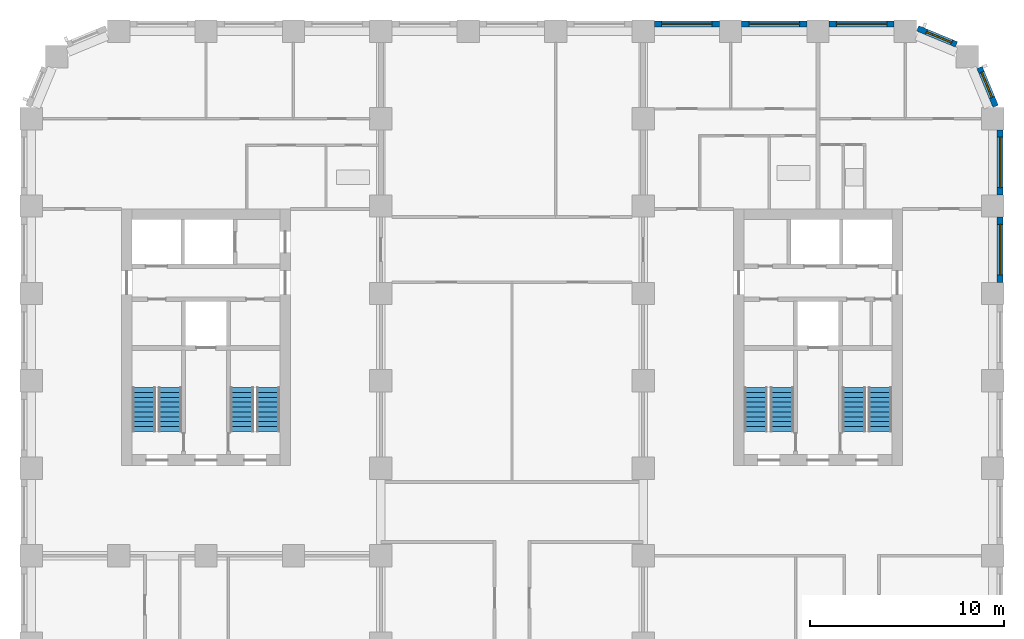
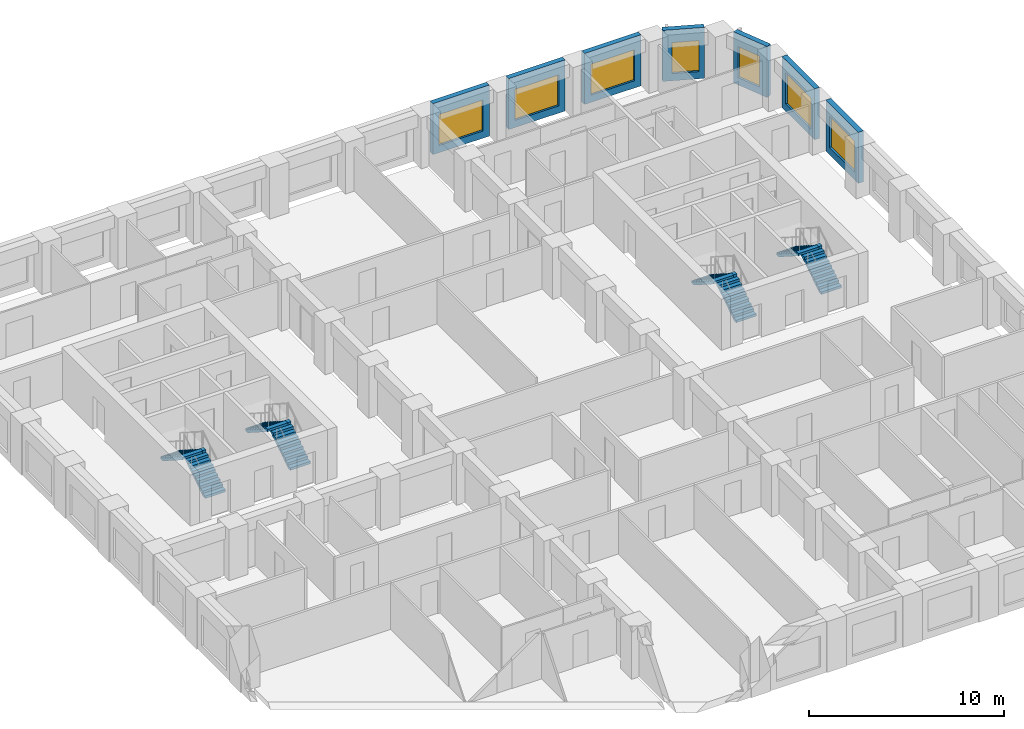
# One storey, part 9 of 12: 8 stair flights, 7 walls, 7 windows, 7 openings, 4 elements without a shape of their own.
"""IFC4 building model written with IfcOpenShell, lengths in metres."""

from ifc_helpers import new_model, si_unit, direction, frame, frame_2d, origin, place, context, subcontext, project, spatial, polyline, rectangle, outline, extrude, material, layer, layer_set, type_object, element, fill, aggregate, save


model = new_model("IFC4")

# Units and contexts
model_context = context("Model", 3, precision=1e-05, world=origin(), true_north=direction((0.0, 1.0)))
body_context = subcontext(model_context, "Body", "Model", "MODEL_VIEW")
ifc_project = project(units=[si_unit("LENGTHUNIT", "METRE"), si_unit("AREAUNIT", "SQUARE_METRE"), si_unit("VOLUMEUNIT", "CUBIC_METRE"), si_unit("PLANEANGLEUNIT", "RADIAN"), si_unit("MASSUNIT", "GRAM", prefix="KILO")], contexts=[model_context])

# Site, building, storey
site_placement = place(None, origin())
site = spatial("IfcSite", under=ifc_project, at=site_placement, CompositionType="ELEMENT")
building_placement = place(site_placement, origin())
building = spatial("IfcBuilding", under=site, at=building_placement, Name="Girih Gate Residences", CompositionType="ELEMENT")
storey_placement = place(building_placement, frame((0.0, 0.0, 118.39990234375)))
storey = spatial("IfcBuildingStorey", under=building, at=storey_placement, Name="L33", CompositionType="ELEMENT", Elevation=118.39990234375)

# Wall, opening, window
ifc_material_1 = material(Name="Precast concrete C50/60", Category="concrete")
ifc_layer_1 = layer(ifc_material_1, 0.080078125, Name="Outer leaf")
ifc_material_2 = material(Name="Rigid PIR insulation")
ifc_layer_2 = layer(ifc_material_2, 0.14990234375, Name="Insulation")
ifc_material_3 = material(Name="Precast concrete C40/50", Category="concrete")
ifc_layer_3 = layer(ifc_material_3, 0.070068359375, Name="Inner leaf")
ifc_layer_set = layer_set([ifc_layer_1, ifc_layer_2, ifc_layer_3], Name="Precast concrete C50/60 external wall 300")
wall_type = type_object("IfcWallType", Name="Precast concrete C50/60 external wall 300", PredefinedType="SOLIDWALL", material=ifc_layer_set)
wall_1_placement = place(storey_placement, frame((49.875, 39.925048828125, 0.0), z_axis=(0.0, 0.0, 1.0), x_axis=(0.0, -1.0, 0.0)))
wall_1 = element("IfcWall", 1, at=wall_1_placement, inside=storey, type_object=wall_type, Name="External wall E0495_0045.7", PredefinedType="SOLIDWALL", context=body_context, shape_type="SweptSolid", body=[
    extrude(rectangle(XDim=3.35009765625, YDim=0.300048828125, at=frame_2d((1.675048828125, 0.0))), origin(), (0.0, 0.0, 1.0), 3.2001953125),
])
opening_1_placement = place(wall_1_placement, frame((0.375, 0.0, 0.449951171875)))
opening_1 = element("IfcOpeningElement", 2, at=opening_1_placement, cuts=wall_1, Name="Opening W-1A", PredefinedType="OPENING", context=body_context, shape_type="SweptSolid", body=[
    extrude(rectangle(XDim=2.60009765625, YDim=1.949951171875, at=frame_2d((1.300048828125, 0.97509765625))), frame((0.0, 0.159912109375, 0.0), z_axis=(0.0, -1.0, 0.0), x_axis=(1.0, 0.0, 0.0)), (0.0, 0.0, 1.0), 0.320068359375),
])
ifc_material_4 = material(Name="Double glazing in aluminium frame", Category="aluminium")
window_type_1 = type_object("IfcWindowType", Name="Window W-1A 2600x1950", PartitioningType="SINGLE_PANEL", PredefinedType="WINDOW", material=ifc_material_4)
window_1_placement = place(opening_1_placement, origin())
window_1 = element("IfcWindow", 3, at=window_1_placement, inside=storey, type_object=window_type_1, Name="Window W-1A E0495_0045.7", OverallHeight=1.949951171875, OverallWidth=2.60009765625, PartitioningType="SINGLE_PANEL", PredefinedType="WINDOW", context=body_context, shape_type="SweptSolid", body=[
    extrude(rectangle(XDim=2.60009765625, YDim=1.949951171875, at=frame_2d((1.300048828125, 0.97509765625))), frame((0.0, 0.030029296875, 0.0), z_axis=(0.0, -1.0, 0.0), x_axis=(1.0, 0.0, 0.0)), (0.0, 0.0, 1.0), 0.06005859375),
])
fill(opening_1, window_1)

wall_2_placement = place(storey_placement, frame((49.875, 44.425048828125, 0.0), z_axis=(0.0, 0.0, 1.0), x_axis=(0.0, -1.0, 0.0)))
wall_2 = element("IfcWall", 4, at=wall_2_placement, inside=storey, type_object=wall_type, Name="External wall E0495_0045.8", PredefinedType="SOLIDWALL", context=body_context, shape_type="SweptSolid", body=[
    extrude(rectangle(XDim=3.35009765625, YDim=0.300048828125, at=frame_2d((1.675048828125, 0.0))), origin(), (0.0, 0.0, 1.0), 3.2001953125),
])
opening_2_placement = place(wall_2_placement, frame((0.375, 0.0, 0.449951171875)))
opening_2 = element("IfcOpeningElement", 5, at=opening_2_placement, cuts=wall_2, Name="Opening W-1A", PredefinedType="OPENING", context=body_context, shape_type="SweptSolid", body=[
    extrude(rectangle(XDim=2.60009765625, YDim=1.949951171875, at=frame_2d((1.300048828125, 0.97509765625))), frame((0.0, 0.159912109375, 0.0), z_axis=(0.0, -1.0, 0.0), x_axis=(1.0, 0.0, 0.0)), (0.0, 0.0, 1.0), 0.320068359375),
])
window_2_placement = place(opening_2_placement, origin())
window_2 = element("IfcWindow", 6, at=window_2_placement, inside=storey, type_object=window_type_1, Name="Window W-1A E0495_0045.8", OverallHeight=1.949951171875, OverallWidth=2.60009765625, PartitioningType="SINGLE_PANEL", PredefinedType="WINDOW", context=body_context, shape_type="SweptSolid", body=[
    extrude(rectangle(XDim=2.60009765625, YDim=1.949951171875, at=frame_2d((1.300048828125, 0.97509765625))), frame((0.0, 0.030029296875, 0.0), z_axis=(0.0, -1.0, 0.0), x_axis=(1.0, 0.0, 0.0)), (0.0, 0.0, 1.0), 0.06005859375),
])
fill(opening_2, window_2)

wall_3_placement = place(storey_placement, frame((48.81591796875, 47.63134765625, 0.0), z_axis=(0.0, 0.0, 1.0), x_axis=(0.382723818695, -0.923862802911, 0.0)))
wall_3 = element("IfcWall", 7, at=wall_3_placement, inside=storey, type_object=wall_type, Name="External wall NE0495_0450.0", PredefinedType="SOLIDWALL", context=body_context, shape_type="SweptSolid", body=[
    extrude(rectangle(XDim=2.163818359375, YDim=0.300048828125, at=frame_2d((1.08203125, 0.0))), origin(), (0.0, 0.0, 1.0), 3.2001953125),
])
opening_3_placement = place(wall_3_placement, frame((0.270751953125, 0.0, 0.449951171875)))
opening_3 = element("IfcOpeningElement", 8, at=opening_3_placement, cuts=wall_3, Name="Opening W-2D", PredefinedType="OPENING", context=body_context, shape_type="SweptSolid", body=[
    extrude(rectangle(XDim=1.39990234375, YDim=1.949951171875, at=frame_2d((0.699951171875, 0.97509765625))), frame((0.0, 0.159912109375, 0.0), z_axis=(0.0, -1.0, 0.0), x_axis=(1.0, 0.0, 0.0)), (0.0, 0.0, 1.0), 0.320068359375),
])
window_type_2 = type_object("IfcWindowType", Name="Window W-2D 1400x1950", PartitioningType="SINGLE_PANEL", PredefinedType="WINDOW", material=ifc_material_4)
window_3_placement = place(opening_3_placement, origin())
window_3 = element("IfcWindow", 9, at=window_3_placement, inside=storey, type_object=window_type_2, Name="Window W-2D NE0495_0450.0", OverallHeight=1.949951171875, OverallWidth=1.39990234375, PartitioningType="SINGLE_PANEL", PredefinedType="WINDOW", context=body_context, shape_type="SweptSolid", body=[
    extrude(rectangle(XDim=1.39990234375, YDim=1.949951171875, at=frame_2d((0.699951171875, 0.97509765625))), frame((0.0, 0.030029296875, 0.0), z_axis=(0.0, -1.0, 0.0), x_axis=(1.0, 0.0, 0.0)), (0.0, 0.0, 1.0), 0.06005859375),
])
fill(opening_3, window_3)

wall_4_placement = place(storey_placement, frame((45.63232421875, 49.64404296875, 0.0), z_axis=(0.0, 0.0, 1.0), x_axis=(0.923862802911, -0.382723818695, 0.0)))
wall_4 = element("IfcWall", 10, at=wall_4_placement, inside=storey, type_object=wall_type, Name="External wall NE0482_0482.0", PredefinedType="SOLIDWALL", context=body_context, shape_type="SweptSolid", body=[
    extrude(rectangle(XDim=2.163818359375, YDim=0.300048828125, at=frame_2d((1.08203125, 0.0))), origin(), (0.0, 0.0, 1.0), 3.2001953125),
])
opening_4_placement = place(wall_4_placement, frame((0.492919921875, 0.0, 0.449951171875)))
opening_4 = element("IfcOpeningElement", 11, at=opening_4_placement, cuts=wall_4, Name="Opening W-2D", PredefinedType="OPENING", context=body_context, shape_type="SweptSolid", body=[
    extrude(rectangle(XDim=1.39990234375, YDim=1.949951171875, at=frame_2d((0.699951171875, 0.97509765625))), frame((0.0, 0.159912109375, 0.0), z_axis=(0.0, -1.0, 0.0), x_axis=(1.0, 0.0, 0.0)), (0.0, 0.0, 1.0), 0.320068359375),
])
window_4_placement = place(opening_4_placement, origin())
window_4 = element("IfcWindow", 12, at=window_4_placement, inside=storey, type_object=window_type_2, Name="Window W-2D NE0482_0482.0", OverallHeight=1.949951171875, OverallWidth=1.39990234375, PartitioningType="SINGLE_PANEL", PredefinedType="WINDOW", context=body_context, shape_type="SweptSolid", body=[
    extrude(rectangle(XDim=1.39990234375, YDim=1.949951171875, at=frame_2d((0.699951171875, 0.97509765625))), frame((0.0, 0.030029296875, 0.0), z_axis=(0.0, -1.0, 0.0), x_axis=(1.0, 0.0, 0.0)), (0.0, 0.0, 1.0), 0.06005859375),
])
fill(opening_4, window_4)

wall_5_placement = place(storey_placement, frame((41.074951171875, 49.875, 0.0), z_axis=(0.0, 0.0, 1.0), x_axis=(1.0, 0.0, 0.0)))
wall_5 = element("IfcWall", 13, at=wall_5_placement, inside=storey, type_object=wall_type, Name="External wall N0450_0495.0", PredefinedType="SOLIDWALL", context=body_context, shape_type="SweptSolid", body=[
    extrude(rectangle(XDim=3.35009765625, YDim=0.300048828125, at=frame_2d((1.675048828125, 0.0))), origin(), (0.0, 0.0, 1.0), 3.2001953125),
])
opening_5_placement = place(wall_5_placement, frame((0.375, 0.0, 0.449951171875)))
opening_5 = element("IfcOpeningElement", 14, at=opening_5_placement, cuts=wall_5, Name="Opening W-1A", PredefinedType="OPENING", context=body_context, shape_type="SweptSolid", body=[
    extrude(rectangle(XDim=2.60009765625, YDim=1.949951171875, at=frame_2d((1.300048828125, 0.97509765625))), frame((0.0, 0.159912109375, 0.0), z_axis=(0.0, -1.0, 0.0), x_axis=(1.0, 0.0, 0.0)), (0.0, 0.0, 1.0), 0.320068359375),
])
window_5_placement = place(opening_5_placement, origin())
window_5 = element("IfcWindow", 15, at=window_5_placement, inside=storey, type_object=window_type_1, Name="Window W-1A N0450_0495.0", OverallHeight=1.949951171875, OverallWidth=2.60009765625, PartitioningType="SINGLE_PANEL", PredefinedType="WINDOW", context=body_context, shape_type="SweptSolid", body=[
    extrude(rectangle(XDim=2.60009765625, YDim=1.949951171875, at=frame_2d((1.300048828125, 0.97509765625))), frame((0.0, 0.030029296875, 0.0), z_axis=(0.0, -1.0, 0.0), x_axis=(1.0, 0.0, 0.0)), (0.0, 0.0, 1.0), 0.06005859375),
])
fill(opening_5, window_5)

wall_6_placement = place(storey_placement, frame((36.574951171875, 49.875, 0.0), z_axis=(0.0, 0.0, 1.0), x_axis=(1.0, 0.0, 0.0)))
wall_6 = element("IfcWall", 16, at=wall_6_placement, inside=storey, type_object=wall_type, Name="External wall N0450_0495.1", PredefinedType="SOLIDWALL", context=body_context, shape_type="SweptSolid", body=[
    extrude(rectangle(XDim=3.35009765625, YDim=0.300048828125, at=frame_2d((1.675048828125, 0.0))), origin(), (0.0, 0.0, 1.0), 3.2001953125),
])
opening_6_placement = place(wall_6_placement, frame((0.375, 0.0, 0.449951171875)))
opening_6 = element("IfcOpeningElement", 17, at=opening_6_placement, cuts=wall_6, Name="Opening W-1A", PredefinedType="OPENING", context=body_context, shape_type="SweptSolid", body=[
    extrude(rectangle(XDim=2.60009765625, YDim=1.949951171875, at=frame_2d((1.300048828125, 0.97509765625))), frame((0.0, 0.159912109375, 0.0), z_axis=(0.0, -1.0, 0.0), x_axis=(1.0, 0.0, 0.0)), (0.0, 0.0, 1.0), 0.320068359375),
])
window_6_placement = place(opening_6_placement, origin())
window_6 = element("IfcWindow", 18, at=window_6_placement, inside=storey, type_object=window_type_1, Name="Window W-1A N0450_0495.1", OverallHeight=1.949951171875, OverallWidth=2.60009765625, PartitioningType="SINGLE_PANEL", PredefinedType="WINDOW", context=body_context, shape_type="SweptSolid", body=[
    extrude(rectangle(XDim=2.60009765625, YDim=1.949951171875, at=frame_2d((1.300048828125, 0.97509765625))), frame((0.0, 0.030029296875, 0.0), z_axis=(0.0, -1.0, 0.0), x_axis=(1.0, 0.0, 0.0)), (0.0, 0.0, 1.0), 0.06005859375),
])
fill(opening_6, window_6)

wall_7_placement = place(storey_placement, frame((32.074951171875, 49.875, 0.0), z_axis=(0.0, 0.0, 1.0), x_axis=(1.0, 0.0, 0.0)))
wall_7 = element("IfcWall", 19, at=wall_7_placement, inside=storey, type_object=wall_type, Name="External wall N0450_0495.2", PredefinedType="SOLIDWALL", context=body_context, shape_type="SweptSolid", body=[
    extrude(rectangle(XDim=3.35009765625, YDim=0.300048828125, at=frame_2d((1.675048828125, 0.0))), origin(), (0.0, 0.0, 1.0), 3.2001953125),
])
opening_7_placement = place(wall_7_placement, frame((0.375, 0.0, 0.449951171875)))
opening_7 = element("IfcOpeningElement", 20, at=opening_7_placement, cuts=wall_7, Name="Opening W-1A", PredefinedType="OPENING", context=body_context, shape_type="SweptSolid", body=[
    extrude(rectangle(XDim=2.60009765625, YDim=1.949951171875, at=frame_2d((1.300048828125, 0.97509765625))), frame((0.0, 0.159912109375, 0.0), z_axis=(0.0, -1.0, 0.0), x_axis=(1.0, 0.0, 0.0)), (0.0, 0.0, 1.0), 0.320068359375),
])
window_7_placement = place(opening_7_placement, origin())
window_7 = element("IfcWindow", 21, at=window_7_placement, inside=storey, type_object=window_type_1, Name="Window W-1A N0450_0495.2", OverallHeight=1.949951171875, OverallWidth=2.60009765625, PartitioningType="SINGLE_PANEL", PredefinedType="WINDOW", context=body_context, shape_type="SweptSolid", body=[
    extrude(rectangle(XDim=2.60009765625, YDim=1.949951171875, at=frame_2d((1.300048828125, 0.97509765625))), frame((0.0, 0.030029296875, 0.0), z_axis=(0.0, -1.0, 0.0), x_axis=(1.0, 0.0, 0.0)), (0.0, 0.0, 1.0), 0.06005859375),
])
fill(opening_7, window_7)

# Stair, stair flights
ifc_material_5 = material(Name="Concrete C40/50", Category="concrete")
stair_type = type_object("IfcStairType", Name="Exit stair", PredefinedType="HALF_TURN_STAIR", material=ifc_material_5)
stair_1_placement = place(storey_placement, origin())
stair_1 = element("IfcStair", 22, at=stair_1_placement, inside=storey, type_object=stair_type, Name="L33 Exit Stair ST-W1", PredefinedType="HALF_TURN_STAIR")
stair_flight_type = type_object("IfcStairFlightType", Name="Stair flight 1200", PredefinedType="STRAIGHT", material=ifc_material_5)
stair_flight_1_placement = place(storey_placement, frame((7.14990234375, 28.89990234375, 0.0), z_axis=(0.0, 0.0, 1.0), x_axis=(0.0, 1.0, 0.0)))
stair_flight_1 = element("IfcStairFlight", 23, at=stair_flight_1_placement, type_object=stair_flight_type, Name="ST-W1 flight 1", NumberOfRisers=10, NumberOfTreads=9, PredefinedType="STRAIGHT", RiserHeight=0.16, TreadLength=0.25, context=body_context, shape_type="SweptSolid", body=[
    extrude(outline(polyline([(0.0, 0.0), (0.0, 0.159912109375), (0.25, 0.159912109375), (0.25, 0.320068359375), (0.5, 0.320068359375), (0.5, 0.47998046875), (0.75, 0.47998046875), (0.75, 0.639892578125), (1.0, 0.639892578125), (1.0, 0.800048828125), (1.25, 0.800048828125), (1.25, 0.9599609375), (1.5, 0.9599609375), (1.5, 1.1201171875), (1.75, 1.1201171875), (1.75, 1.280029296875), (2.0, 1.280029296875), (2.0, 1.43994140625), (2.25, 1.43994140625), (2.25, 1.60009765625), (2.25, 1.29736328125), (0.222900390625, 0.0), (0.0, 0.0)])), frame((0.0, 0.60009765625, 0.0), z_axis=(0.0, -1.0, 0.0), x_axis=(1.0, 0.0, 0.0)), (0.0, 0.0, 1.0), 1.199951171875),
])
stair_flight_2_placement = place(storey_placement, frame((5.800048828125, 31.14990234375, 1.60009765625), z_axis=(0.0, 0.0, 1.0), x_axis=(0.0, -1.0, 0.0)))
stair_flight_2 = element("IfcStairFlight", 24, at=stair_flight_2_placement, type_object=stair_flight_type, Name="ST-W1 flight 2", NumberOfRisers=10, NumberOfTreads=9, PredefinedType="STRAIGHT", RiserHeight=0.16, TreadLength=0.25, context=body_context, shape_type="SweptSolid", body=[
    extrude(outline(polyline([(0.0, 0.0), (0.0, 0.159912109375), (0.25, 0.159912109375), (0.25, 0.320068359375), (0.5, 0.320068359375), (0.5, 0.47998046875), (0.75, 0.47998046875), (0.75, 0.639892578125), (1.0, 0.639892578125), (1.0, 0.800048828125), (1.25, 0.800048828125), (1.25, 0.9599609375), (1.5, 0.9599609375), (1.5, 1.1201171875), (1.75, 1.1201171875), (1.75, 1.280029296875), (2.0, 1.280029296875), (2.0, 1.43994140625), (2.25, 1.43994140625), (2.25, 1.60009765625), (2.25, 1.29736328125), (0.222900390625, 0.0), (0.0, 0.0)])), frame((0.0, 0.60009765625, 0.0), z_axis=(0.0, -1.0, 0.0), x_axis=(1.0, 0.0, 0.0)), (0.0, 0.0, 1.0), 1.199951171875),
])
aggregate(stair_1, [stair_flight_1, stair_flight_2])

stair_2_placement = place(storey_placement, origin())
stair_2 = element("IfcStair", 25, at=stair_2_placement, inside=storey, type_object=stair_type, Name="L33 Exit Stair ST-W2", PredefinedType="HALF_TURN_STAIR")
stair_flight_3_placement = place(storey_placement, frame((12.199951171875, 28.89990234375, 0.0), z_axis=(0.0, 0.0, 1.0), x_axis=(0.0, 1.0, 0.0)))
stair_flight_3 = element("IfcStairFlight", 26, at=stair_flight_3_placement, type_object=stair_flight_type, Name="ST-W2 flight 1", NumberOfRisers=10, NumberOfTreads=9, PredefinedType="STRAIGHT", RiserHeight=0.16, TreadLength=0.25, context=body_context, shape_type="SweptSolid", body=[
    extrude(outline(polyline([(0.0, 0.0), (0.0, 0.159912109375), (0.25, 0.159912109375), (0.25, 0.320068359375), (0.5, 0.320068359375), (0.5, 0.47998046875), (0.75, 0.47998046875), (0.75, 0.639892578125), (1.0, 0.639892578125), (1.0, 0.800048828125), (1.25, 0.800048828125), (1.25, 0.9599609375), (1.5, 0.9599609375), (1.5, 1.1201171875), (1.75, 1.1201171875), (1.75, 1.280029296875), (2.0, 1.280029296875), (2.0, 1.43994140625), (2.25, 1.43994140625), (2.25, 1.60009765625), (2.25, 1.29736328125), (0.222900390625, 0.0), (0.0, 0.0)])), frame((0.0, 0.60009765625, 0.0), z_axis=(0.0, -1.0, 0.0), x_axis=(1.0, 0.0, 0.0)), (0.0, 0.0, 1.0), 1.199951171875),
])
stair_flight_4_placement = place(storey_placement, frame((10.85009765625, 31.14990234375, 1.60009765625), z_axis=(0.0, 0.0, 1.0), x_axis=(0.0, -1.0, 0.0)))
stair_flight_4 = element("IfcStairFlight", 27, at=stair_flight_4_placement, type_object=stair_flight_type, Name="ST-W2 flight 2", NumberOfRisers=10, NumberOfTreads=9, PredefinedType="STRAIGHT", RiserHeight=0.16, TreadLength=0.25, context=body_context, shape_type="SweptSolid", body=[
    extrude(outline(polyline([(0.0, 0.0), (0.0, 0.159912109375), (0.25, 0.159912109375), (0.25, 0.320068359375), (0.5, 0.320068359375), (0.5, 0.47998046875), (0.75, 0.47998046875), (0.75, 0.639892578125), (1.0, 0.639892578125), (1.0, 0.800048828125), (1.25, 0.800048828125), (1.25, 0.9599609375), (1.5, 0.9599609375), (1.5, 1.1201171875), (1.75, 1.1201171875), (1.75, 1.280029296875), (2.0, 1.280029296875), (2.0, 1.43994140625), (2.25, 1.43994140625), (2.25, 1.60009765625), (2.25, 1.29736328125), (0.222900390625, 0.0), (0.0, 0.0)])), frame((0.0, 0.60009765625, 0.0), z_axis=(0.0, -1.0, 0.0), x_axis=(1.0, 0.0, 0.0)), (0.0, 0.0, 1.0), 1.199951171875),
])
aggregate(stair_2, [stair_flight_3, stair_flight_4])

stair_3_placement = place(storey_placement, origin())
stair_3 = element("IfcStair", 28, at=stair_3_placement, inside=storey, type_object=stair_type, Name="L33 Exit Stair ST-E1", PredefinedType="HALF_TURN_STAIR")
stair_flight_5_placement = place(storey_placement, frame((43.699951171875, 28.89990234375, 0.0), z_axis=(0.0, 0.0, 1.0), x_axis=(0.0, 1.0, 0.0)))
stair_flight_5 = element("IfcStairFlight", 29, at=stair_flight_5_placement, type_object=stair_flight_type, Name="ST-E1 flight 1", NumberOfRisers=10, NumberOfTreads=9, PredefinedType="STRAIGHT", RiserHeight=0.16, TreadLength=0.25, context=body_context, shape_type="SweptSolid", body=[
    extrude(outline(polyline([(0.0, 0.0), (0.0, 0.159912109375), (0.25, 0.159912109375), (0.25, 0.320068359375), (0.5, 0.320068359375), (0.5, 0.47998046875), (0.75, 0.47998046875), (0.75, 0.639892578125), (1.0, 0.639892578125), (1.0, 0.800048828125), (1.25, 0.800048828125), (1.25, 0.9599609375), (1.5, 0.9599609375), (1.5, 1.1201171875), (1.75, 1.1201171875), (1.75, 1.280029296875), (2.0, 1.280029296875), (2.0, 1.43994140625), (2.25, 1.43994140625), (2.25, 1.60009765625), (2.25, 1.29736328125), (0.222900390625, 0.0), (0.0, 0.0)])), frame((0.0, 0.60009765625, 0.0), z_axis=(0.0, -1.0, 0.0), x_axis=(1.0, 0.0, 0.0)), (0.0, 0.0, 1.0), 1.199951171875),
])
stair_flight_6_placement = place(storey_placement, frame((42.35009765625, 31.14990234375, 1.60009765625), z_axis=(0.0, 0.0, 1.0), x_axis=(0.0, -1.0, 0.0)))
stair_flight_6 = element("IfcStairFlight", 30, at=stair_flight_6_placement, type_object=stair_flight_type, Name="ST-E1 flight 2", NumberOfRisers=10, NumberOfTreads=9, PredefinedType="STRAIGHT", RiserHeight=0.16, TreadLength=0.25, context=body_context, shape_type="SweptSolid", body=[
    extrude(outline(polyline([(0.0, 0.0), (0.0, 0.159912109375), (0.25, 0.159912109375), (0.25, 0.320068359375), (0.5, 0.320068359375), (0.5, 0.47998046875), (0.75, 0.47998046875), (0.75, 0.639892578125), (1.0, 0.639892578125), (1.0, 0.800048828125), (1.25, 0.800048828125), (1.25, 0.9599609375), (1.5, 0.9599609375), (1.5, 1.1201171875), (1.75, 1.1201171875), (1.75, 1.280029296875), (2.0, 1.280029296875), (2.0, 1.43994140625), (2.25, 1.43994140625), (2.25, 1.60009765625), (2.25, 1.29736328125), (0.222900390625, 0.0), (0.0, 0.0)])), frame((0.0, 0.60009765625, 0.0), z_axis=(0.0, -1.0, 0.0), x_axis=(1.0, 0.0, 0.0)), (0.0, 0.0, 1.0), 1.199951171875),
])
aggregate(stair_3, [stair_flight_5, stair_flight_6])

stair_4_placement = place(storey_placement, origin())
stair_4 = element("IfcStair", 31, at=stair_4_placement, inside=storey, type_object=stair_type, Name="L33 Exit Stair ST-E2", PredefinedType="HALF_TURN_STAIR")
stair_flight_7_placement = place(storey_placement, frame((38.64990234375, 28.89990234375, 0.0), z_axis=(0.0, 0.0, 1.0), x_axis=(0.0, 1.0, 0.0)))
stair_flight_7 = element("IfcStairFlight", 32, at=stair_flight_7_placement, type_object=stair_flight_type, Name="ST-E2 flight 1", NumberOfRisers=10, NumberOfTreads=9, PredefinedType="STRAIGHT", RiserHeight=0.16, TreadLength=0.25, context=body_context, shape_type="SweptSolid", body=[
    extrude(outline(polyline([(0.0, 0.0), (0.0, 0.159912109375), (0.25, 0.159912109375), (0.25, 0.320068359375), (0.5, 0.320068359375), (0.5, 0.47998046875), (0.75, 0.47998046875), (0.75, 0.639892578125), (1.0, 0.639892578125), (1.0, 0.800048828125), (1.25, 0.800048828125), (1.25, 0.9599609375), (1.5, 0.9599609375), (1.5, 1.1201171875), (1.75, 1.1201171875), (1.75, 1.280029296875), (2.0, 1.280029296875), (2.0, 1.43994140625), (2.25, 1.43994140625), (2.25, 1.60009765625), (2.25, 1.29736328125), (0.222900390625, 0.0), (0.0, 0.0)])), frame((0.0, 0.60009765625, 0.0), z_axis=(0.0, -1.0, 0.0), x_axis=(1.0, 0.0, 0.0)), (0.0, 0.0, 1.0), 1.199951171875),
])
stair_flight_8_placement = place(storey_placement, frame((37.300048828125, 31.14990234375, 1.60009765625), z_axis=(0.0, 0.0, 1.0), x_axis=(0.0, -1.0, 0.0)))
stair_flight_8 = element("IfcStairFlight", 33, at=stair_flight_8_placement, type_object=stair_flight_type, Name="ST-E2 flight 2", NumberOfRisers=10, NumberOfTreads=9, PredefinedType="STRAIGHT", RiserHeight=0.16, TreadLength=0.25, context=body_context, shape_type="SweptSolid", body=[
    extrude(outline(polyline([(0.0, 0.0), (0.0, 0.159912109375), (0.25, 0.159912109375), (0.25, 0.320068359375), (0.5, 0.320068359375), (0.5, 0.47998046875), (0.75, 0.47998046875), (0.75, 0.639892578125), (1.0, 0.639892578125), (1.0, 0.800048828125), (1.25, 0.800048828125), (1.25, 0.9599609375), (1.5, 0.9599609375), (1.5, 1.1201171875), (1.75, 1.1201171875), (1.75, 1.280029296875), (2.0, 1.280029296875), (2.0, 1.43994140625), (2.25, 1.43994140625), (2.25, 1.60009765625), (2.25, 1.29736328125), (0.222900390625, 0.0), (0.0, 0.0)])), frame((0.0, 0.60009765625, 0.0), z_axis=(0.0, -1.0, 0.0), x_axis=(1.0, 0.0, 0.0)), (0.0, 0.0, 1.0), 1.199951171875),
])
aggregate(stair_4, [stair_flight_7, stair_flight_8])

save(model, "model.ifc")
